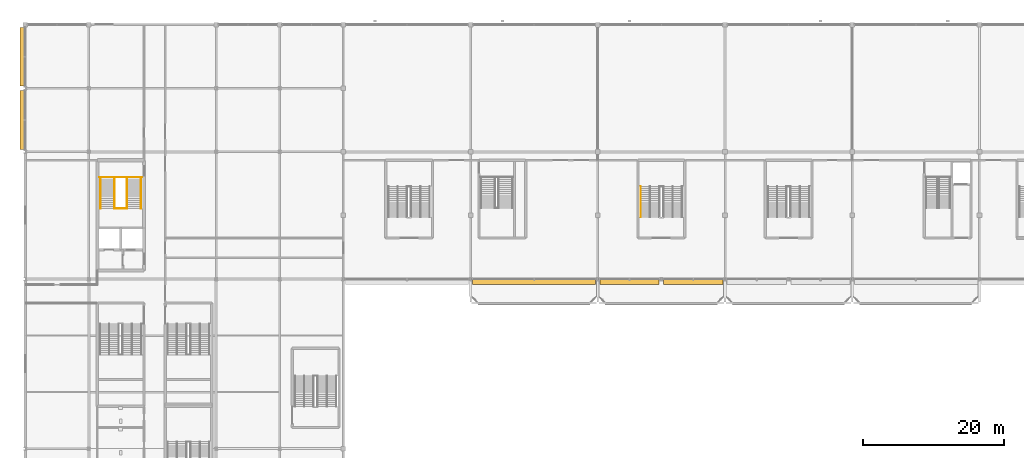
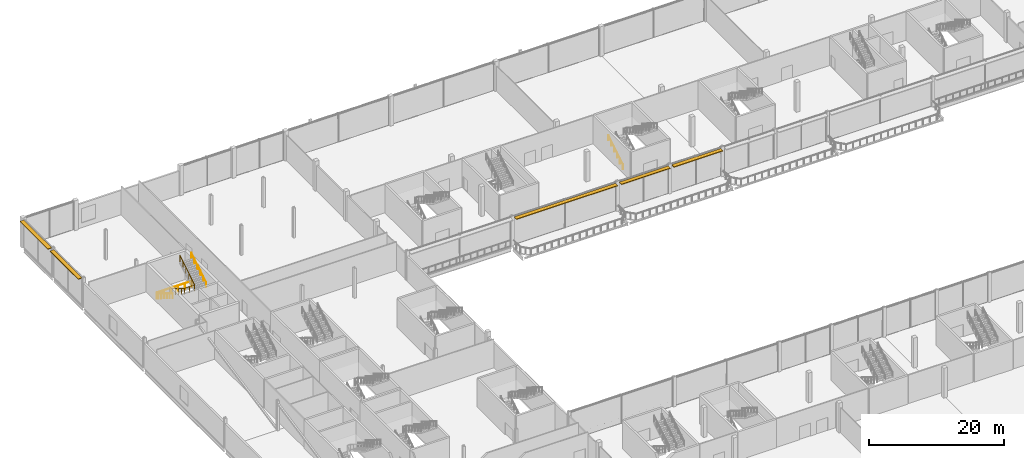
# One storey, part 102 of 113: 5 railings, 5 shading devices.
"""IFC4 building model written with IfcOpenShell, lengths in metres."""

import ifcopenshell
import ifcopenshell.guid

model = None  # the IFC model being written
_history = None  # IfcOwnerHistory: only IFC2X3 demands one
_inside = {}  # id of a spatial element -> (the spatial element, [elements in it])
_under = {}  # id of a project, library or spatial element -> (it, [spatial elements below it])
_declared = {}  # id of a project -> (the project, [libraries it declares])
_typed = {}  # id of a type object -> (the type object, [elements of that type])
_made_of = {}  # id of a material, layer set ... -> (it, [elements and type objects made of it])


def new_model(schema):
    """Start an empty IFC model of exactly this schema.

    Asked for "IFC4X3", IfcOpenShell would pick the latest addendum, in which some entities
    have other attributes; the version numbers below select the first issue.
    IFC2X3 requires an IfcOwnerHistory on every rooted entity: one is made here for all.
    """
    global model, _history
    if schema == "IFC4X3":
        model = ifcopenshell.file(schema_version=(4, 3, 0, 0))
    else:
        model = ifcopenshell.file(schema=schema)
    _inside.clear()
    _under.clear()
    _declared.clear()
    _typed.clear()
    _made_of.clear()
    _history = None
    if model.schema == "IFC2X3":
        org = make("IfcOrganization", Name="unknown")
        user = make(
            "IfcPersonAndOrganization",
            ThePerson=make("IfcPerson", FamilyName="unknown"),
            TheOrganization=org,
        )
        app = make(
            "IfcApplication",
            ApplicationDeveloper=org,
            Version="unknown",
            ApplicationFullName="unknown",
            ApplicationIdentifier="unknown",
        )
        _history = make(
            "IfcOwnerHistory",
            OwningUser=user,
            OwningApplication=app,
            ChangeAction="ADDED",
            CreationDate=0,
        )
    return model


def make(cls, **values):
    """One entity of the class cls with the attributes given. An attribute that is None is left unset."""
    return model.create_entity(
        cls, **{name: value for name, value in values.items() if value is not None}
    )


def rooted(cls, **values):
    """An entity with a GlobalId (a new one), such as an element, a storey or a relation."""
    return make(cls, GlobalId=ifcopenshell.guid.new(), OwnerHistory=_history, **values)


def si_unit(unit_type, name, prefix=None):
    """IfcSIUnit, for example si_unit("LENGTHUNIT", "METRE", prefix="MILLI")."""
    return make("IfcSIUnit", UnitType=unit_type, Prefix=prefix, Name=name)


def assignment(units):
    """IfcUnitAssignment: the units of a project."""
    return None if units is None else make("IfcUnitAssignment", Units=units)


def point(xyz):
    """IfcCartesianPoint."""
    return None if xyz is None else make("IfcCartesianPoint", Coordinates=xyz)


def direction(xyz):
    """IfcDirection."""
    return None if xyz is None else make("IfcDirection", DirectionRatios=xyz)


def frame(location, z_axis=None, x_axis=None):
    """IfcAxis2Placement3D, a coordinate frame: its origin and axes. An axis left out is left unset."""
    return make(
        "IfcAxis2Placement3D",
        Location=point(location),
        Axis=direction(z_axis),
        RefDirection=direction(x_axis),
    )


def frame_2d(location, x_axis=None):
    """IfcAxis2Placement2D, a coordinate frame in the plane: its origin and x axis."""
    return make(
        "IfcAxis2Placement2D", Location=point(location), RefDirection=direction(x_axis)
    )


def origin():
    """The frame at (0, 0, 0) with its axes left unset."""
    return frame((0.0, 0.0, 0.0))


def origin_2d():
    """The frame at (0, 0) in the plane with its x axis left unset."""
    return frame_2d((0.0, 0.0))


def place(relative_to, where):
    """IfcLocalPlacement: puts the frame where relative to a parent placement (None: the world)."""
    return make(
        "IfcLocalPlacement", PlacementRelTo=relative_to, RelativePlacement=where
    )


def context(
    kind, dimensions, precision=None, world=None, true_north=None, identifier=None
):
    """IfcGeometricRepresentationContext, for example the 3D "Model" context."""
    return make(
        "IfcGeometricRepresentationContext",
        ContextIdentifier=identifier,
        ContextType=kind,
        CoordinateSpaceDimension=dimensions,
        Precision=precision,
        WorldCoordinateSystem=world,
        TrueNorth=true_north,
    )


def subcontext(parent, identifier, kind, view, scale=None):
    """IfcGeometricRepresentationSubContext, for example "Body" below "Model"."""
    return make(
        "IfcGeometricRepresentationSubContext",
        ContextIdentifier=identifier,
        ContextType=kind,
        ParentContext=parent,
        TargetScale=scale,
        TargetView=view,
    )


def project(units=None, contexts=None):
    """IfcProject with its units and contexts."""
    return rooted(
        "IfcProject",
        Name="project",
        RepresentationContexts=contexts,
        UnitsInContext=assignment(units),
    )


def spatial(cls, under=None, at=None, **own):
    """A site, building, storey or space (cls), placed at a placement, below another one or the project."""
    s = rooted(cls, ObjectPlacement=at, **own)
    if under is not None:
        _under.setdefault(under.id(), (under, []))[1].append(s)
    return s


def profile(cls, at=None, kind="AREA", **sizes):
    """A parametric profile (cls). Its sizes go by their IFC names, for example OverallWidth=200.0."""
    return make(cls, ProfileType=kind, Position=at, **sizes)


def rectangle(**sizes):
    """IfcRectangleProfileDef."""
    return profile("IfcRectangleProfileDef", **sizes)


def circle(**sizes):
    """IfcCircleProfileDef."""
    return profile("IfcCircleProfileDef", **sizes)


def extrude(swept, where, along, depth):
    """IfcExtrudedAreaSolid: the profile swept, set in the frame where, extruded along a direction by depth."""
    return make(
        "IfcExtrudedAreaSolid",
        SweptArea=swept,
        Position=where,
        ExtrudedDirection=direction(along),
        Depth=depth,
    )


def shape(context_of_items, identifier, shape_type, items):
    """IfcShapeRepresentation: the items that make up one representation, for example the "Body"."""
    return make(
        "IfcShapeRepresentation",
        ContextOfItems=context_of_items,
        RepresentationIdentifier=identifier,
        RepresentationType=shape_type,
        Items=items,
    )


def material(Name=None, Category=None):
    """IfcMaterial."""
    return make("IfcMaterial", Name=Name, Category=Category)


def made_of(thing, what):
    """Note that an element or type object is made of a material, layer set ...; save() writes the relation."""
    if what is not None:
        _made_of.setdefault(what.id(), (what, []))[1].append(thing)
    return thing


def type_object(cls, material=None, **own):
    """A type object (cls), such as IfcWallType, which elements share."""
    return made_of(rooted(cls, **own), material)


def element(
    cls,
    number,
    at=None,
    inside=None,
    cuts=None,
    type_object=None,
    material=None,
    context=None,
    identifier="Body",
    shape_type=None,
    held_by="IfcProductDefinitionShape",
    body=None,
    shapes=None,
    **own,
):
    """One element of the class cls, such as IfcWall. Its Tag is "e" and its number.

    at: its placement. inside: the storey or other place that contains it. cuts: it is an
    opening in that element (IfcRelVoidsElement). A single representation is given by context,
    identifier, shape_type and body (its items); several are given by shapes. held_by: the class
    of the entity that holds the representations. save() writes the other relations.
    """
    e = rooted(cls, Tag="e%d" % number, ObjectPlacement=at, **own)
    if body is not None:
        shapes = [shape(context, identifier, shape_type, body)]
    if shapes is not None:
        e.Representation = make(held_by, Representations=shapes)
    if inside is not None:
        _inside.setdefault(inside.id(), (inside, []))[1].append(e)
    if cuts is not None:
        rooted(
            "IfcRelVoidsElement", RelatingBuildingElement=cuts, RelatedOpeningElement=e
        )
    if type_object is not None:
        _typed.setdefault(type_object.id(), (type_object, []))[1].append(e)
    return made_of(e, material)


def aggregate(whole, parts):
    """IfcRelAggregates: a whole, such as a stair, and the parts it consists of."""
    return rooted("IfcRelAggregates", RelatingObject=whole, RelatedObjects=parts)


def save(model, path):
    """Write the relations noted so far, then the file.

    IfcRelAggregates (storeys below a building ...), IfcRelContainedInSpatialStructure (elements
    in a storey), IfcRelDefinesByType, IfcRelAssociatesMaterial and IfcRelDeclares: one each for
    every whole, place, type object, material and project.
    """
    for whole, parts in _under.values():
        aggregate(whole, parts)
    for where, things in _inside.values():
        rooted(
            "IfcRelContainedInSpatialStructure",
            RelatedElements=things,
            RelatingStructure=where,
        )
    for kind, things in _typed.values():
        rooted("IfcRelDefinesByType", RelatedObjects=things, RelatingType=kind)
    for what, things in _made_of.values():
        rooted("IfcRelAssociatesMaterial", RelatedObjects=things, RelatingMaterial=what)
    for by, libraries in _declared.values():
        rooted("IfcRelDeclares", RelatingContext=by, RelatedDefinitions=libraries)
    model.write(path)


model = new_model("IFC4")

# Units and contexts
model_context = context("Model", 3, precision=1e-05, world=origin(), true_north=direction((0.0, 1.0)))
body_context = subcontext(model_context, "Body", "Model", "MODEL_VIEW")
ifc_project = project(units=[si_unit("LENGTHUNIT", "METRE"), si_unit("AREAUNIT", "SQUARE_METRE"), si_unit("VOLUMEUNIT", "CUBIC_METRE"), si_unit("PLANEANGLEUNIT", "RADIAN"), si_unit("MASSUNIT", "GRAM", prefix="KILO")], contexts=[model_context])

# Site, building, storey
site_placement = place(None, origin())
site = spatial("IfcSite", under=ifc_project, at=site_placement, CompositionType="ELEMENT")
building_placement = place(site_placement, origin())
building = spatial("IfcBuilding", under=site, at=building_placement, Name="Kisiwana Market Hall", CompositionType="ELEMENT")
storey_placement = place(building_placement, frame((0.0, 0.0, 6.0)))
storey = spatial("IfcBuildingStorey", under=building, at=storey_placement, Name="L01", CompositionType="ELEMENT", Elevation=6.0)

# Railings
ifc_material_1 = material(Name="Steel S275", Category="steel")
railing_type_1 = type_object("IfcRailingType", Name="RL-GUARD-1100", PredefinedType="GUARDRAIL", material=ifc_material_1)
railing_1_placement = place(storey_placement, frame((12.625, 98.325439453125, 0.0)))
element("IfcRailing", 1, at=railing_1_placement, inside=storey, type_object=railing_type_1, Name="Stair ST-W1-L01 inner-well guardrail (RL-315)", PredefinedType="GUARDRAIL", context=body_context, shape_type="SweptSolid", body=[
    extrude(circle(Radius=0.02392578125, at=origin_2d()), frame((0.0, 0.0, 1.076171875), z_axis=(0.0, -0.849636482215, 0.527368797038), x_axis=(1.0, 0.0, 0.0)), (0.0, 0.0, 1.0), 5.11962890625),
    extrude(circle(Radius=0.02392578125, at=origin_2d()), frame((0.0, -4.349853515625, 3.77587890625), z_axis=(1.0, 0.0, 0.0), x_axis=(0.0, 1.0, 0.0)), (0.0, 0.0, 1.0), 1.75),
    extrude(circle(Radius=0.02392578125, at=origin_2d()), frame((1.75, -4.349853515625, 3.77587890625), z_axis=(0.0, 0.849636482215, 0.527368797038), x_axis=(-1.0, 0.0, 0.0)), (0.0, 0.0, 1.0), 5.11962890625),
    extrude(circle(Radius=0.02099609375, at=origin_2d()), origin(), (0.0, 0.0, 1.0), 1.052001953125),
    extrude(circle(Radius=0.02099609375, at=origin_2d()), frame((0.0, -0.869873046875, 0.5400390625)), (0.0, 0.0, 1.0), 1.052001953125),
    extrude(circle(Radius=0.02099609375, at=origin_2d()), frame((0.0, -1.739990234375, 1.080078125)), (0.0, 0.0, 1.0), 1.052001953125),
    extrude(circle(Radius=0.02099609375, at=origin_2d()), frame((0.0, -2.60986328125, 1.619873046875)), (0.0, 0.0, 1.0), 1.052001953125),
    extrude(circle(Radius=0.02099609375, at=origin_2d()), frame((0.0, -3.47998046875, 2.159912109375)), (0.0, 0.0, 1.0), 1.052001953125),
    extrude(circle(Radius=0.02099609375, at=origin_2d()), frame((0.0, -4.349853515625, 2.699951171875)), (0.0, 0.0, 1.0), 1.052001953125),
    extrude(circle(Radius=0.02099609375, at=origin_2d()), frame((0.875, -4.349853515625, 2.699951171875)), (0.0, 0.0, 1.0), 1.052001953125),
    extrude(circle(Radius=0.02099609375, at=origin_2d()), frame((1.75, -4.349853515625, 2.699951171875)), (0.0, 0.0, 1.0), 1.052001953125),
    extrude(circle(Radius=0.02099609375, at=origin_2d()), frame((1.75, -3.47998046875, 3.239990234375)), (0.0, 0.0, 1.0), 1.052001953125),
    extrude(circle(Radius=0.02099609375, at=origin_2d()), frame((1.75, -2.60986328125, 3.780029296875)), (0.0, 0.0, 1.0), 1.052001953125),
    extrude(circle(Radius=0.02099609375, at=origin_2d()), frame((1.75, -1.739990234375, 4.31982421875)), (0.0, 0.0, 1.0), 1.052001953125),
    extrude(circle(Radius=0.02099609375, at=origin_2d()), frame((1.75, -0.869873046875, 4.85986328125)), (0.0, 0.0, 1.0), 1.052001953125),
    extrude(circle(Radius=0.02099609375, at=origin_2d()), frame((1.75, 0.0, 5.39990234375)), (0.0, 0.0, 1.0), 1.052001953125),
])
railing_2_placement = place(storey_placement, frame((10.5048828125, 98.405517578125, 0.0)))
element("IfcRailing", 2, at=railing_2_placement, inside=storey, type_object=railing_type_1, Name="Stair ST-W1-L01 landing edge guardrail (RL-318)", PredefinedType="GUARDRAIL", context=body_context, shape_type="SweptSolid", body=[
    extrude(circle(Radius=0.02392578125, at=origin_2d()), frame((0.0, 0.0, 1.076171875), z_axis=(1.0, 0.0, 0.0), x_axis=(0.0, 1.0, 0.0)), (0.0, 0.0, 1.0), 5.990234375),
    extrude(circle(Radius=0.02099609375, at=origin_2d()), origin(), (0.0, 0.0, 1.0), 1.052001953125),
    extrude(circle(Radius=0.02099609375, at=origin_2d()), frame((1.197998046875, 0.0, 0.0)), (0.0, 0.0, 1.0), 1.052001953125),
    extrude(circle(Radius=0.02099609375, at=origin_2d()), frame((2.39599609375, 0.0, 0.0)), (0.0, 0.0, 1.0), 1.052001953125),
    extrude(circle(Radius=0.02099609375, at=origin_2d()), frame((3.59423828125, 0.0, 0.0)), (0.0, 0.0, 1.0), 1.052001953125),
    extrude(circle(Radius=0.02099609375, at=origin_2d()), frame((4.792236328125, 0.0, 0.0)), (0.0, 0.0, 1.0), 1.052001953125),
    extrude(circle(Radius=0.02099609375, at=origin_2d()), frame((5.990234375, 0.0, 0.0)), (0.0, 0.0, 1.0), 1.052001953125),
])
ifc_material_2 = material(Name="Steel S275", Category="steel")
railing_type_2 = type_object("IfcRailingType", Name="RL-HAND-900", PredefinedType="HANDRAIL", material=ifc_material_2)
railing_3_placement = place(storey_placement, frame((10.635009765625, 98.325439453125, 0.0)))
element("IfcRailing", 3, at=railing_3_placement, inside=storey, type_object=railing_type_2, Name="Stair ST-W1-L01 flight 1 handrail (RL-316)", PredefinedType="HANDRAIL", context=body_context, shape_type="SweptSolid", body=[
    extrude(circle(Radius=0.02392578125, at=origin_2d()), frame((0.0, 0.0, 0.8759765625), z_axis=(0.0, -0.849636482215, 0.527368797038), x_axis=(1.0, 0.0, 0.0)), (0.0, 0.0, 1.0), 5.11962890625),
    extrude(circle(Radius=0.02099609375, at=origin_2d()), origin(), (0.0, 0.0, 1.0), 0.851806640625),
    extrude(circle(Radius=0.02099609375, at=origin_2d()), frame((0.0, -0.869873046875, 0.5400390625)), (0.0, 0.0, 1.0), 0.851806640625),
    extrude(circle(Radius=0.02099609375, at=origin_2d()), frame((0.0, -1.739990234375, 1.080078125)), (0.0, 0.0, 1.0), 0.851806640625),
    extrude(circle(Radius=0.02099609375, at=origin_2d()), frame((0.0, -2.60986328125, 1.619873046875)), (0.0, 0.0, 1.0), 0.851806640625),
    extrude(circle(Radius=0.02099609375, at=origin_2d()), frame((0.0, -3.47998046875, 2.159912109375)), (0.0, 0.0, 1.0), 0.851806640625),
    extrude(circle(Radius=0.02099609375, at=origin_2d()), frame((0.0, -4.349853515625, 2.699951171875)), (0.0, 0.0, 1.0), 0.851806640625),
])
railing_4_placement = place(storey_placement, frame((16.364990234375, 93.9755859375, 2.699951171875)))
element("IfcRailing", 4, at=railing_4_placement, inside=storey, type_object=railing_type_2, Name="Stair ST-W1-L01 flight 2 handrail (RL-317)", PredefinedType="HANDRAIL", context=body_context, shape_type="SweptSolid", body=[
    extrude(circle(Radius=0.02392578125, at=origin_2d()), frame((0.0, 0.0, 0.8759765625), z_axis=(0.0, 0.849636482215, 0.527368797038), x_axis=(-1.0, 0.0, 0.0)), (0.0, 0.0, 1.0), 5.11962890625),
    extrude(circle(Radius=0.02099609375, at=origin_2d()), origin(), (0.0, 0.0, 1.0), 0.851806640625),
    extrude(circle(Radius=0.02099609375, at=origin_2d()), frame((0.0, 0.869873046875, 0.5400390625)), (0.0, 0.0, 1.0), 0.851806640625),
    extrude(circle(Radius=0.02099609375, at=origin_2d()), frame((0.0, 1.739990234375, 1.080078125)), (0.0, 0.0, 1.0), 0.851806640625),
    extrude(circle(Radius=0.02099609375, at=origin_2d()), frame((0.0, 2.60986328125, 1.619873046875)), (0.0, 0.0, 1.0), 0.851806640625),
    extrude(circle(Radius=0.02099609375, at=origin_2d()), frame((0.0, 3.47998046875, 2.159912109375)), (0.0, 0.0, 1.0), 0.851806640625),
    extrude(circle(Radius=0.02099609375, at=origin_2d()), frame((0.0, 4.349853515625, 2.699951171875)), (0.0, 0.0, 1.0), 0.851806640625),
])
railing_5_placement = place(storey_placement, frame((87.070068359375, 92.760009765625, 0.0)))
element("IfcRailing", 5, at=railing_5_placement, inside=storey, type_object=railing_type_2, Name="Stair ST-N4-L01 flight 1 handrail (RL-446)", PredefinedType="HANDRAIL", context=body_context, shape_type="SweptSolid", body=[
    extrude(circle(Radius=0.02392578125, at=origin_2d()), frame((0.0, 0.0, 0.8759765625), z_axis=(0.0, 0.849649743971, 0.527347430608), x_axis=(-1.0, 0.0, 0.0)), (0.0, 0.0, 1.0), 5.119873046875),
    extrude(circle(Radius=0.02099609375, at=origin_2d()), origin(), (0.0, 0.0, 1.0), 0.851806640625),
    extrude(circle(Radius=0.02099609375, at=origin_2d()), frame((0.0, 0.8701171875, 0.5400390625)), (0.0, 0.0, 1.0), 0.851806640625),
    extrude(circle(Radius=0.02099609375, at=origin_2d()), frame((0.0, 1.739990234375, 1.080078125)), (0.0, 0.0, 1.0), 0.851806640625),
    extrude(circle(Radius=0.02099609375, at=origin_2d()), frame((0.0, 2.610107421875, 1.619873046875)), (0.0, 0.0, 1.0), 0.851806640625),
    extrude(circle(Radius=0.02099609375, at=origin_2d()), frame((0.0, 3.47998046875, 2.159912109375)), (0.0, 0.0, 1.0), 0.851806640625),
    extrude(circle(Radius=0.02099609375, at=origin_2d()), frame((0.0, 4.35009765625, 2.699951171875)), (0.0, 0.0, 1.0), 0.851806640625),
])

# Shading devices
ifc_material_3 = material(Name="Aluminium alloy 6063-T6", Category="aluminium")
shading_device_type = type_object("IfcShadingDeviceType", Name="SHD-JALOUSIE-H", PredefinedType="JALOUSIE", material=ifc_material_3)
shading_device_1_placement = place(storey_placement, frame((72.0, 83.580078125, 4.969970703125), z_axis=(0.0, 0.0, 1.0), x_axis=(1.0, 0.0, 0.0)))
element("IfcShadingDevice", 6, at=shading_device_1_placement, inside=storey, type_object=shading_device_type, Name="Aluminium brise-soleil louvre SHD-021 SD-021", PredefinedType="JALOUSIE", context=body_context, shape_type="SweptSolid", body=[
    extrude(rectangle(XDim=17.387939453125, YDim=0.64990234375, at=origin_2d()), origin(), (0.0, 0.0, 1.0), 0.1201171875),
])
for number, where, z_axis, x_axis, name in (
    (7, (85.5, 83.580078125, 4.969970703125), (0.0, 0.0, 1.0), (1.0, 0.0, 0.0), "Aluminium brise-soleil louvre SHD-022 SD-022"),
    (8, (94.5, 83.580078125, 4.969970703125), (0.0, 0.0, 1.0), (1.0, 0.0, 0.0), "Aluminium brise-soleil louvre SHD-023 SD-023"),
):
    element("IfcShadingDevice", number, at=place(storey_placement, frame(where, z_axis=z_axis, x_axis=x_axis)), inside=storey, type_object=shading_device_type, Name=name, PredefinedType="JALOUSIE", context=body_context, shape_type="SweptSolid", body=[
        extrude(rectangle(XDim=8.387939453125, YDim=0.64990234375, at=origin_2d()), origin(), (0.0, 0.0, 1.0), 0.1201171875),
    ])
shading_device_2_placement = place(storey_placement, frame((-0.419921875, 106.507080078125, 4.969970703125), z_axis=(0.0, 0.0, 1.0), x_axis=(0.0, 1.0, 0.0)))
element("IfcShadingDevice", 9, at=shading_device_2_placement, inside=storey, type_object=shading_device_type, Name="Aluminium brise-soleil louvre SHD-031 SD-031", PredefinedType="JALOUSIE", context=body_context, shape_type="SweptSolid", body=[
    extrude(rectangle(XDim=8.37939453125, YDim=0.64990234375, at=origin_2d()), origin(), (0.0, 0.0, 1.0), 0.1201171875),
])
shading_device_3_placement = place(storey_placement, frame((-0.419921875, 115.439208984375, 4.969970703125), z_axis=(0.0, 0.0, 1.0), x_axis=(0.0, 1.0, 0.0)))
element("IfcShadingDevice", 10, at=shading_device_3_placement, inside=storey, type_object=shading_device_type, Name="Aluminium brise-soleil louvre SHD-032 SD-032", PredefinedType="JALOUSIE", context=body_context, shape_type="SweptSolid", body=[
    extrude(rectangle(XDim=8.271728515625, YDim=0.64990234375, at=origin_2d()), origin(), (0.0, 0.0, 1.0), 0.1201171875),
])

save(model, "model.ifc")
